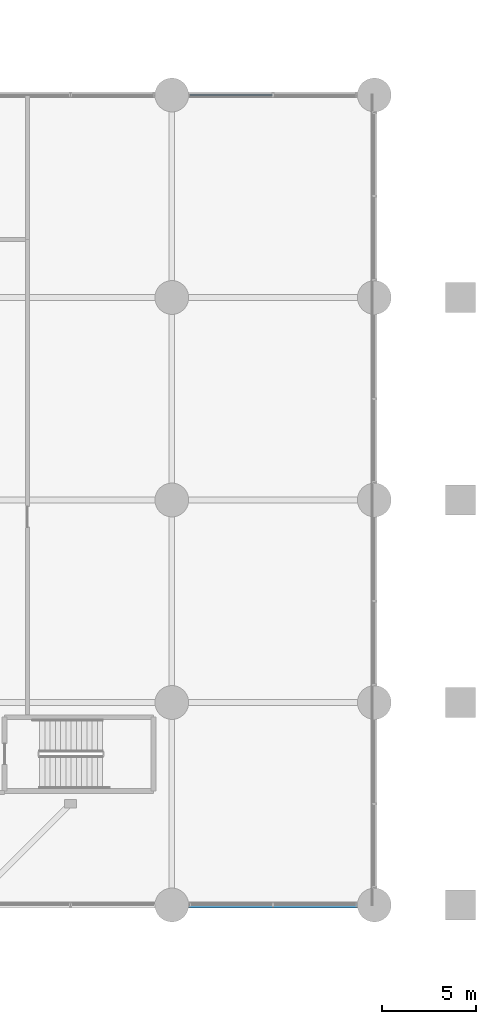
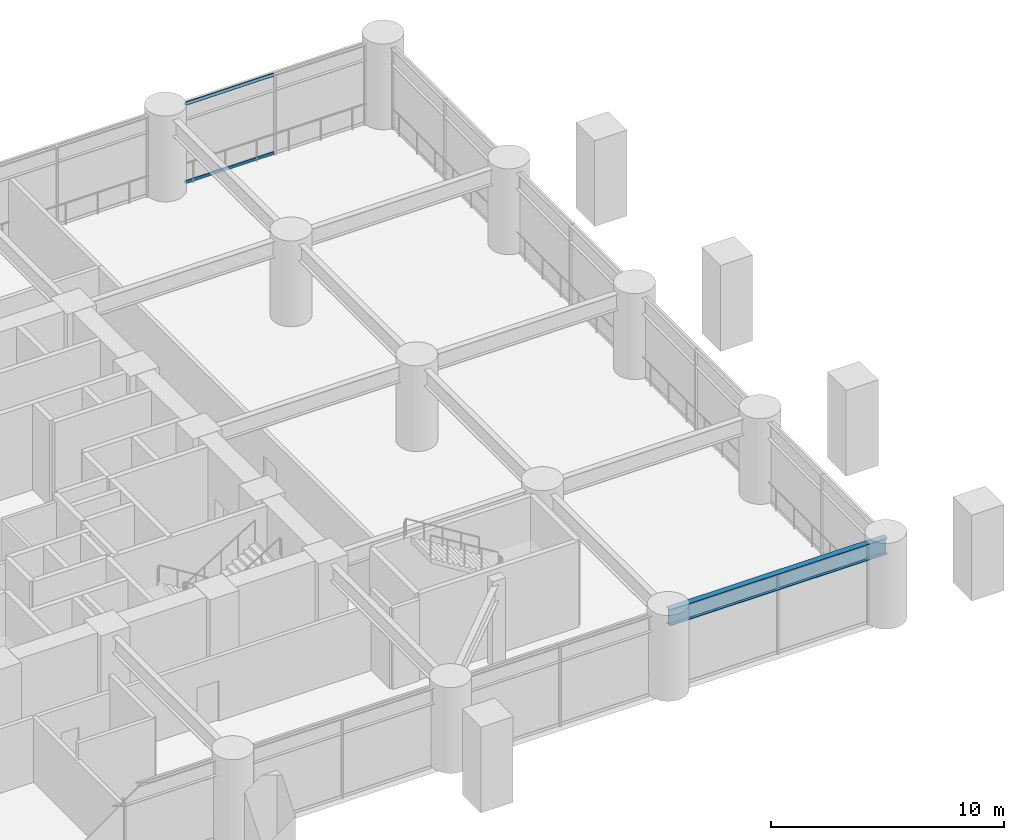
# One storey, part 17 of 31: 2 members, 1 beam, 1 element without a shape of its own.
"""IFC4 building model written with IfcOpenShell, lengths in metres."""

from ifc_helpers import new_model, si_unit, direction, frame, origin, origin_2d, place, context, subcontext, project, spatial, hollow_rectangle, i_section, extrude, material, layer, layer_set, material_profile, profile_set, type_object, element, aggregate, save


model = new_model("IFC4")

# Units and contexts
model_context = context("Model", 3, precision=1e-05, world=origin(), true_north=direction((0.0, 1.0)))
body_context = subcontext(model_context, "Body", "Model", "MODEL_VIEW")
ifc_project = project(units=[si_unit("LENGTHUNIT", "METRE"), si_unit("AREAUNIT", "SQUARE_METRE"), si_unit("VOLUMEUNIT", "CUBIC_METRE"), si_unit("PLANEANGLEUNIT", "RADIAN"), si_unit("MASSUNIT", "GRAM", prefix="KILO")], contexts=[model_context])

# Site, building, storey
site_placement = place(None, origin())
site = spatial("IfcSite", under=ifc_project, at=site_placement, CompositionType="ELEMENT")
building_placement = place(site_placement, origin())
building = spatial("IfcBuilding", under=site, at=building_placement, Name="Surkhivell Harbour Commons", CompositionType="ELEMENT")
storey_placement = place(building_placement, frame((0.0, 0.0, 4.5)))
storey = spatial("IfcBuildingStorey", under=building, at=storey_placement, Name="L01", CompositionType="ELEMENT", Elevation=4.5)

# Beam
ifc_material_1 = material(Name="Steel S460", Category="steel")
ifc_material_profile_1 = material_profile(ifc_material_1, i_section(OverallWidth=0.2939453125, OverallDepth=0.85107421875, WebThickness=0.01611328125, FlangeThickness=0.02685546875, at=origin_2d()), Name="UB838x292x226")
ifc_profile_set_1 = profile_set([ifc_material_profile_1], Name="Steel S460")
beam_type = type_object("IfcBeamType", Name="BM-SPN-838", PredefinedType="SPANDREL", material=ifc_profile_set_1)
beam_placement = place(storey_placement, frame((21.60009765625, -21.60009765625, 3.824462890625), z_axis=(1.0, 0.0, 0.0), x_axis=(0.0, 1.0, 0.0)))
element("IfcBeam", 1, at=beam_placement, inside=storey, type_object=beam_type, Name="L01 Framing Beam (21.6,-21.6)", PredefinedType="SPANDREL", context=body_context, shape_type="SweptSolid", body=[
    extrude(i_section(OverallWidth=0.2939453125, OverallDepth=0.85107421875, WebThickness=0.01611328125, FlangeThickness=0.02685546875, at=origin_2d()), origin(), (0.0, 0.0, 1.0), 10.7998046875),
])

# Curtain wall, members
ifc_material_2 = material(Name="Anodised pale-metal aluminium and insulated glazing", Category="aluminium")
ifc_layer = layer(ifc_material_2, 0.239990234375)
ifc_layer_set = layer_set([ifc_layer], Name="Anodised pale-metal aluminium and insulated glazing")
curtain_wall_type = type_object("IfcCurtainWallType", Name="CW-SYS-POD", PredefinedType="NOTDEFINED", material=ifc_layer_set)
curtain_wall_placement = place(storey_placement, origin())
curtain_wall = element("IfcCurtainWall", 2, at=curtain_wall_placement, inside=storey, type_object=curtain_wall_type, Name="L01 Curtain Wall CW-L01-P03", PredefinedType="NOTDEFINED")
ifc_material_3 = material(Name="Anodised pale-metal aluminium alloy 6063-T6", Category="aluminium")
ifc_material_profile_2 = material_profile(ifc_material_3, hollow_rectangle(XDim=0.074951171875, YDim=0.14990234375, WallThickness=0.00341796875, at=origin_2d()), Name="ALU-TRAN-75x150")
ifc_profile_set_2 = profile_set([ifc_material_profile_2], Name="Anodised pale-metal aluminium alloy 6063-T6")
member_type = type_object("IfcMemberType", Name="CWT-150", PredefinedType="USERDEFINED", material=ifc_profile_set_2)
member_1_placement = place(storey_placement, frame((26.96240234375, 21.60009765625, 0.074951171875), z_axis=(-1.0, 0.0, 0.0), x_axis=(0.0, -1.0, 0.0)))
member_1 = element("IfcMember", 3, at=member_1_placement, type_object=member_type, Name="CW-POD transom 2.1", ObjectType="TRANSOM", PredefinedType="USERDEFINED", context=body_context, shape_type="SweptSolid", body=[
    extrude(hollow_rectangle(XDim=0.074951171875, YDim=0.14990234375, WallThickness=0.00341796875, at=origin_2d()), origin(), (0.0, 0.0, 1.0), 4.385498046875),
])
member_2_placement = place(storey_placement, frame((26.96240234375, 21.60009765625, 4.175048828125), z_axis=(-1.0, 0.0, 0.0), x_axis=(0.0, -1.0, 0.0)))
member_2 = element("IfcMember", 4, at=member_2_placement, type_object=member_type, Name="CW-POD transom 2.2", ObjectType="TRANSOM", PredefinedType="USERDEFINED", context=body_context, shape_type="SweptSolid", body=[
    extrude(hollow_rectangle(XDim=0.074951171875, YDim=0.14990234375, WallThickness=0.00341796875, at=origin_2d()), origin(), (0.0, 0.0, 1.0), 4.385498046875),
])
aggregate(curtain_wall, [member_1, member_2])

save(model, "model.ifc")
